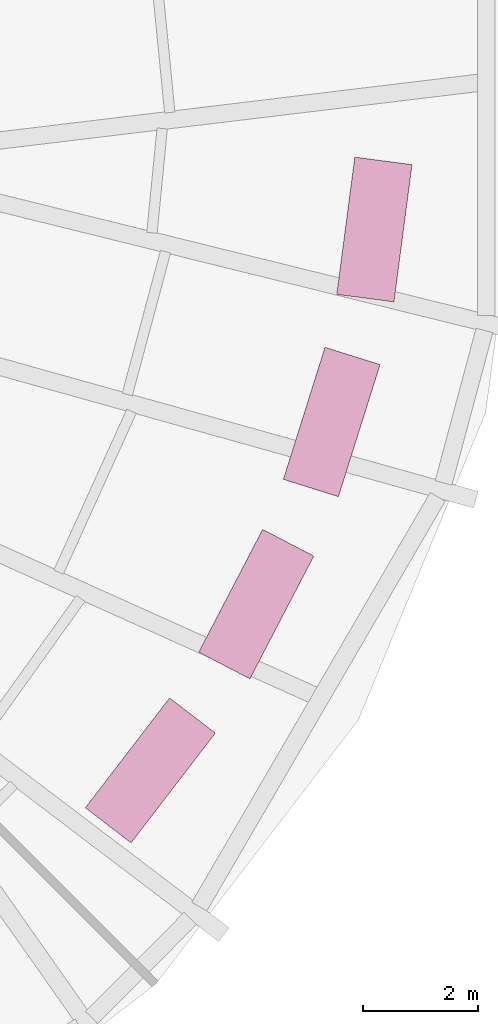
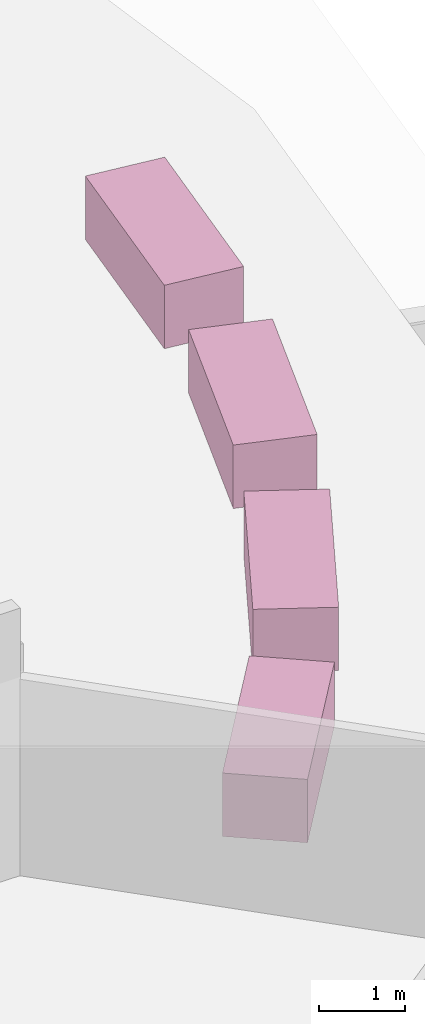
# One storey, part 7 of 7: 4 furniture elements.
"""IFC4 building model written with IfcOpenShell, lengths in metres."""

from ifc_helpers import new_model, si_unit, direction, frame, origin, origin_2d, place, context, subcontext, project, spatial, rectangle, extrude, element, save


model = new_model("IFC4")

# Units and contexts
model_context = context("Model", 3, precision=1e-05, world=origin(), true_north=direction((0.0, 1.0)))
body_context = subcontext(model_context, "Body", "Model", "MODEL_VIEW")
ifc_project = project(units=[si_unit("LENGTHUNIT", "METRE"), si_unit("AREAUNIT", "SQUARE_METRE"), si_unit("VOLUMEUNIT", "CUBIC_METRE"), si_unit("PLANEANGLEUNIT", "RADIAN"), si_unit("MASSUNIT", "GRAM", prefix="KILO")], contexts=[model_context])

# Site, building, storey
site_placement = place(None, origin())
site = spatial("IfcSite", under=ifc_project, at=site_placement, CompositionType="ELEMENT")
building_placement = place(site_placement, origin())
building = spatial("IfcBuilding", under=site, at=building_placement, Name="Golbaran Civic Tower", CompositionType="ELEMENT")
storey_placement = place(building_placement, frame((0.0, 0.0, 260.0)))
storey = spatial("IfcBuildingStorey", under=building, at=storey_placement, Name="L63", CompositionType="ELEMENT", Elevation=260.0)

# Furniture
for number, where, z_axis, x_axis, name in (
    (1, (15.56005859375, -11.939697265625, 0.0), (0.0, 0.0, 1.0), (0.608761429009, 0.793353340291, 0.0), "Sky garden planter L63-1"),
    (2, (17.39697265625, -9.056396484375, 0.0), (0.0, 0.0, 1.0), (0.461748613235, 0.887010833178, 0.0), "Sky garden planter L63-2"),
    (3, (18.705322265625, -5.897705078125, 0.0), (0.0, 0.0, 1.0), (0.300705799504, 0.953716950748, 0.0), "Sky garden planter L63-3"),
    (4, (19.4453125, -2.56005859375, 0.0), (0.0, 0.0, 1.0), (0.13052619222, 0.991444861374, 0.0), "Sky garden planter L63-4"),
):
    element("IfcFurniture", number, at=place(storey_placement, frame(where, z_axis=z_axis, x_axis=x_axis)), inside=storey, Name=name, ObjectType="PLANTER", PredefinedType="USERDEFINED", context=body_context, shape_type="SweptSolid", body=[
        extrude(rectangle(XDim=2.39990234375, YDim=1.0, at=origin_2d()), origin(), (0.0, 0.0, 1.0), 0.89990234375),
    ])

save(model, "model.ifc")
